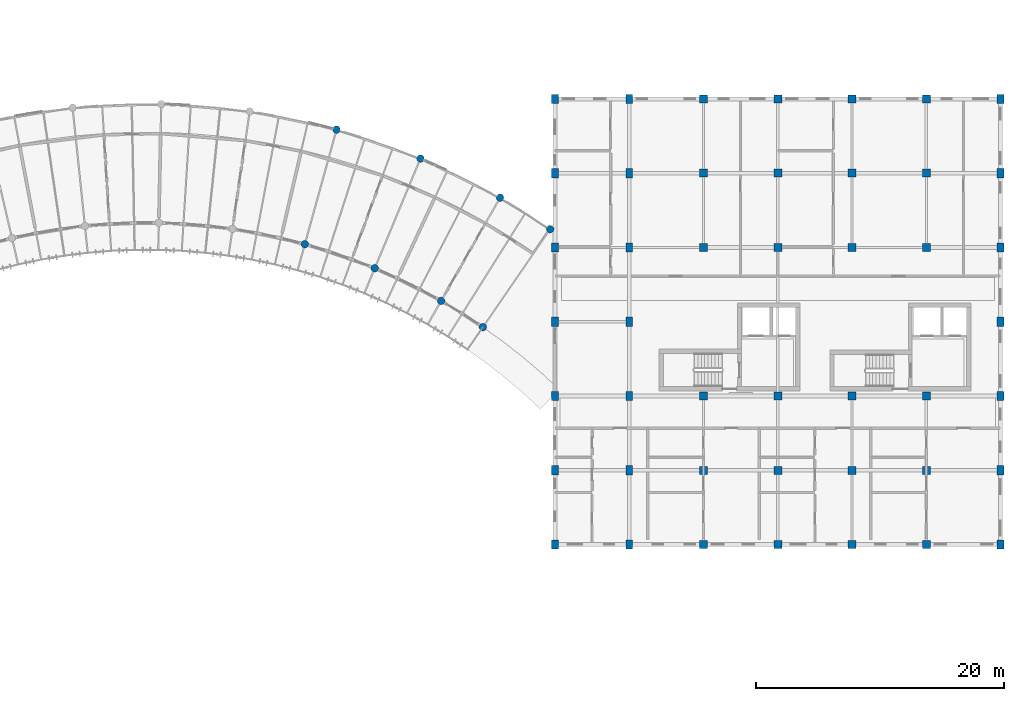
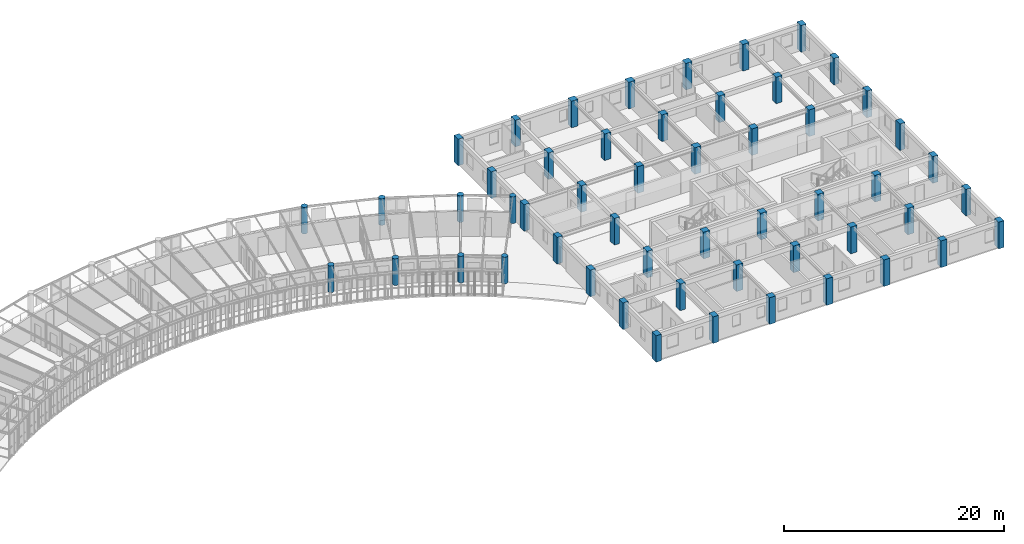
# One storey, part 2 of 100: 53 columns.
"""IFC4 building model written with IfcOpenShell, lengths in metres."""

from ifc_helpers import new_model, si_unit, direction, frame, origin, origin_2d, place, context, subcontext, project, spatial, rectangle, circle, extrude, material, material_profile, profile_set, type_object, element, save


model = new_model("IFC4")

# Units and contexts
model_context = context("Model", 3, precision=1e-05, world=origin(), true_north=direction((0.0, 1.0)))
body_context = subcontext(model_context, "Body", "Model", "MODEL_VIEW")
ifc_project = project(units=[si_unit("LENGTHUNIT", "METRE"), si_unit("AREAUNIT", "SQUARE_METRE"), si_unit("VOLUMEUNIT", "CUBIC_METRE"), si_unit("PLANEANGLEUNIT", "RADIAN"), si_unit("MASSUNIT", "GRAM", prefix="KILO"), si_unit("POWERUNIT", "WATT"), si_unit("THERMODYNAMICTEMPERATUREUNIT", "KELVIN")], contexts=[model_context])

# Site, building, storey
site_placement = place(None, origin())
site = spatial("IfcSite", under=ifc_project, at=site_placement, CompositionType="ELEMENT")
building_placement = place(site_placement, origin())
building = spatial("IfcBuilding", under=site, at=building_placement, Name="Ruvembo Vaulted Housing Court", CompositionType="ELEMENT")
storey_placement = place(building_placement, frame((0.0, 0.0, 14.10009765625)))
storey = spatial("IfcBuildingStorey", under=building, at=storey_placement, Name="L04", CompositionType="ELEMENT", Elevation=14.10009765625)

# Columns
ifc_material_1 = material(Name="Concrete C40/50", Category="concrete")
ifc_material_profile_1 = material_profile(ifc_material_1, rectangle(XDim=0.550048828125, YDim=0.75, at=origin_2d()), Name="RC 550x750")
ifc_profile_set_1 = profile_set([ifc_material_profile_1], Name="Concrete C40/50")
column_type_1 = type_object("IfcColumnType", Name="COL-RC-550x750", PredefinedType="COLUMN", material=ifc_profile_set_1)
for number, where, z_axis, x_axis, name in (
    (1, (150.0, 72.0, 0.0), (0.0, 0.0, 1.0), (1.0, 0.0, 0.0), "L04 Column (150,72)"),
    (2, (150.0, 78.0, 0.0), (0.0, 0.0, 1.0), (1.0, 0.0, 0.0), "L04 Column (150,78)"),
    (3, (150.0, 84.0, 0.0), (0.0, 0.0, 1.0), (1.0, 0.0, 0.0), "L04 Column (150,84)"),
    (4, (150.0, 90.0, 0.0), (0.0, 0.0, 1.0), (1.0, 0.0, 0.0), "L04 Column (150,90)"),
    (5, (150.0, 96.0, 0.0), (0.0, 0.0, 1.0), (1.0, 0.0, 0.0), "L04 Column (150,96)"),
    (6, (150.0, 102.0, 0.0), (0.0, 0.0, 1.0), (1.0, 0.0, 0.0), "L04 Column (150,102)"),
    (7, (150.0, 108.0, 0.0), (0.0, 0.0, 1.0), (1.0, 0.0, 0.0), "L04 Column (150,108)"),
    (8, (156.0, 72.0, 0.0), (0.0, 0.0, 1.0), (1.0, 0.0, 0.0), "L04 Column (156,72)"),
    (9, (156.0, 78.0, 0.0), (0.0, 0.0, 1.0), (1.0, 0.0, 0.0), "L04 Column (156,78)"),
    (10, (156.0, 84.0, 0.0), (0.0, 0.0, 1.0), (1.0, 0.0, 0.0), "L04 Column (156,84)"),
    (11, (156.0, 90.0, 0.0), (0.0, 0.0, 1.0), (1.0, 0.0, 0.0), "L04 Column (156,90)"),
    (12, (156.0, 96.0, 0.0), (0.0, 0.0, 1.0), (1.0, 0.0, 0.0), "L04 Column (156,96)"),
    (13, (156.0, 102.0, 0.0), (0.0, 0.0, 1.0), (1.0, 0.0, 0.0), "L04 Column (156,102)"),
    (14, (156.0, 108.0, 0.0), (0.0, 0.0, 1.0), (1.0, 0.0, 0.0), "L04 Column (156,108)"),
    (15, (186.0, 72.0, 0.0), (0.0, 0.0, 1.0), (1.0, 0.0, 0.0), "L04 Column (186,72)"),
    (16, (186.0, 78.0, 0.0), (0.0, 0.0, 1.0), (1.0, 0.0, 0.0), "L04 Column (186,78)"),
    (17, (186.0, 84.0, 0.0), (0.0, 0.0, 1.0), (1.0, 0.0, 0.0), "L04 Column (186,84)"),
    (18, (186.0, 90.0, 0.0), (0.0, 0.0, 1.0), (1.0, 0.0, 0.0), "L04 Column (186,90)"),
    (19, (186.0, 96.0, 0.0), (0.0, 0.0, 1.0), (1.0, 0.0, 0.0), "L04 Column (186,96)"),
    (20, (186.0, 102.0, 0.0), (0.0, 0.0, 1.0), (1.0, 0.0, 0.0), "L04 Column (186,102)"),
    (21, (186.0, 108.0, 0.0), (0.0, 0.0, 1.0), (1.0, 0.0, 0.0), "L04 Column (186,108)"),
):
    element("IfcColumn", number, at=place(storey_placement, frame(where, z_axis=z_axis, x_axis=x_axis)), inside=storey, type_object=column_type_1, Name=name, PredefinedType="COLUMN", context=body_context, shape_type="SweptSolid", body=[
        extrude(rectangle(XDim=0.550048828125, YDim=0.75, at=origin_2d()), origin(), (0.0, 0.0, 1.0), 2.949951171875),
    ])
ifc_material_profile_2 = material_profile(ifc_material_1, rectangle(XDim=0.64990234375, YDim=0.64990234375, at=origin_2d()), Name="RC 650x650")
ifc_profile_set_2 = profile_set([ifc_material_profile_2], Name="Concrete C40/50")
column_type_2 = type_object("IfcColumnType", Name="COL-RC-650", PredefinedType="COLUMN", material=ifc_profile_set_2)
for number, where, z_axis, x_axis, name in (
    (22, (162.0, 72.0, 0.0), (0.0, 0.0, 1.0), (1.0, 0.0, 0.0), "L04 Column (162,72)"),
    (23, (162.0, 78.0, 0.0), (0.0, 0.0, 1.0), (1.0, 0.0, 0.0), "L04 Column (162,78)"),
    (24, (162.0, 84.0, 0.0), (0.0, 0.0, 1.0), (1.0, 0.0, 0.0), "L04 Column (162,84)"),
    (25, (162.0, 96.0, 0.0), (0.0, 0.0, 1.0), (1.0, 0.0, 0.0), "L04 Column (162,96)"),
    (26, (162.0, 102.0, 0.0), (0.0, 0.0, 1.0), (1.0, 0.0, 0.0), "L04 Column (162,102)"),
    (27, (162.0, 108.0, 0.0), (0.0, 0.0, 1.0), (1.0, 0.0, 0.0), "L04 Column (162,108)"),
    (28, (168.0, 72.0, 0.0), (0.0, 0.0, 1.0), (1.0, 0.0, 0.0), "L04 Column (168,72)"),
    (29, (168.0, 78.0, 0.0), (0.0, 0.0, 1.0), (1.0, 0.0, 0.0), "L04 Column (168,78)"),
    (30, (168.0, 84.0, 0.0), (0.0, 0.0, 1.0), (1.0, 0.0, 0.0), "L04 Column (168,84)"),
    (31, (168.0, 96.0, 0.0), (0.0, 0.0, 1.0), (1.0, 0.0, 0.0), "L04 Column (168,96)"),
    (32, (168.0, 102.0, 0.0), (0.0, 0.0, 1.0), (1.0, 0.0, 0.0), "L04 Column (168,102)"),
    (33, (168.0, 108.0, 0.0), (0.0, 0.0, 1.0), (1.0, 0.0, 0.0), "L04 Column (168,108)"),
    (34, (174.0, 72.0, 0.0), (0.0, 0.0, 1.0), (1.0, 0.0, 0.0), "L04 Column (174,72)"),
    (35, (174.0, 78.0, 0.0), (0.0, 0.0, 1.0), (1.0, 0.0, 0.0), "L04 Column (174,78)"),
    (36, (174.0, 84.0, 0.0), (0.0, 0.0, 1.0), (1.0, 0.0, 0.0), "L04 Column (174,84)"),
    (37, (174.0, 96.0, 0.0), (0.0, 0.0, 1.0), (1.0, 0.0, 0.0), "L04 Column (174,96)"),
    (38, (174.0, 102.0, 0.0), (0.0, 0.0, 1.0), (1.0, 0.0, 0.0), "L04 Column (174,102)"),
    (39, (174.0, 108.0, 0.0), (0.0, 0.0, 1.0), (1.0, 0.0, 0.0), "L04 Column (174,108)"),
    (40, (180.0, 72.0, 0.0), (0.0, 0.0, 1.0), (1.0, 0.0, 0.0), "L04 Column (180,72)"),
    (41, (180.0, 78.0, 0.0), (0.0, 0.0, 1.0), (1.0, 0.0, 0.0), "L04 Column (180,78)"),
    (42, (180.0, 84.0, 0.0), (0.0, 0.0, 1.0), (1.0, 0.0, 0.0), "L04 Column (180,84)"),
    (43, (180.0, 96.0, 0.0), (0.0, 0.0, 1.0), (1.0, 0.0, 0.0), "L04 Column (180,96)"),
    (44, (180.0, 102.0, 0.0), (0.0, 0.0, 1.0), (1.0, 0.0, 0.0), "L04 Column (180,102)"),
    (45, (180.0, 108.0, 0.0), (0.0, 0.0, 1.0), (1.0, 0.0, 0.0), "L04 Column (180,108)"),
):
    element("IfcColumn", number, at=place(storey_placement, frame(where, z_axis=z_axis, x_axis=x_axis)), inside=storey, type_object=column_type_2, Name=name, PredefinedType="COLUMN", context=body_context, shape_type="SweptSolid", body=[
        extrude(rectangle(XDim=0.64990234375, YDim=0.64990234375, at=origin_2d()), origin(), (0.0, 0.0, 1.0), 2.949951171875),
    ])
ifc_material_2 = material(Name="Concrete C35/45", Category="concrete")
ifc_material_profile_3 = material_profile(ifc_material_2, circle(Radius=0.300048828125, at=origin_2d()), Name="RC D600")
ifc_profile_set_3 = profile_set([ifc_material_profile_3], Name="Concrete C35/45")
column_type_3 = type_object("IfcColumnType", Name="PILOTIS-D600", PredefinedType="COLUMN", material=ifc_profile_set_3)
for number, where, z_axis, x_axis, name in (
    (46, (129.794677734375, 96.26318359375, 0.0), (0.0, 0.0, 1.0), (1.0, 0.0, 0.0), "L04 Scooped Pier CP-SC3-F08"),
    (47, (132.353759765625, 105.51611328125, 0.0), (0.0, 0.0, 1.0), (1.0, 0.0, 0.0), "L04 Scooped Pier CP-SC3-B08"),
    (48, (135.44189453125, 94.31591796875, 0.0), (0.0, 0.0, 1.0), (1.0, 0.0, 0.0), "L04 Scooped Pier CP-SC3-F09"),
    (49, (139.13037109375, 103.178955078125, 0.0), (0.0, 0.0, 1.0), (1.0, 0.0, 0.0), "L04 Scooped Pier CP-SC3-B09"),
    (50, (140.8037109375, 91.681884765625, 0.0), (0.0, 0.0, 1.0), (1.0, 0.0, 0.0), "L04 Scooped Pier CP-SC3-F10"),
    (51, (145.564453125, 100.018310546875, 0.0), (0.0, 0.0, 1.0), (1.0, 0.0, 0.0), "L04 Scooped Pier CP-SC3-B10"),
    (52, (144.17822265625, 89.564453125, 0.0), (0.0, 0.0, 1.0), (1.0, 0.0, 0.0), "L04 Scooped Pier CP-SC3-F11"),
    (53, (149.61376953125, 97.477294921875, 0.0), (0.0, 0.0, 1.0), (1.0, 0.0, 0.0), "L04 Scooped Pier CP-SC3-B11"),
):
    element("IfcColumn", number, at=place(storey_placement, frame(where, z_axis=z_axis, x_axis=x_axis)), inside=storey, type_object=column_type_3, Name=name, PredefinedType="COLUMN", context=body_context, shape_type="SweptSolid", body=[
        extrude(circle(Radius=0.300048828125, at=origin_2d()), origin(), (0.0, 0.0, 1.0), 2.947998046875),
    ])

save(model, "model.ifc")
